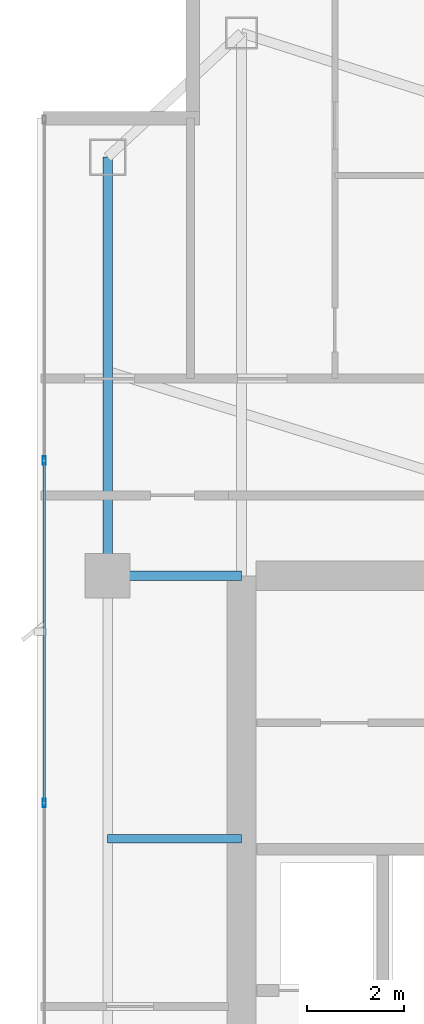
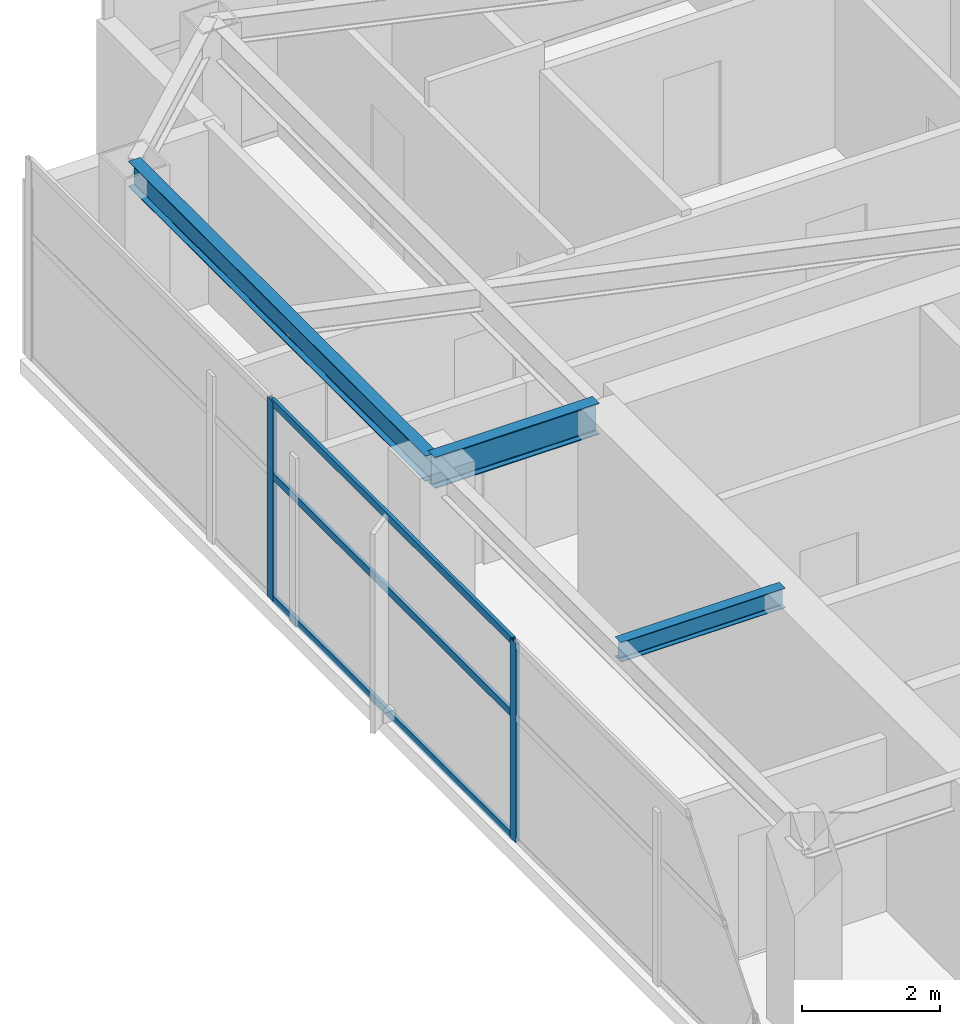
# One storey, part 15 of 27: 5 members, 3 beams, 1 element without a shape of its own.
"""IFC4 building model written with IfcOpenShell, lengths in metres."""

from ifc_helpers import new_model, si_unit, direction, frame, origin, origin_2d, place, context, subcontext, project, spatial, hollow_rectangle, i_section, extrude, material, layer, layer_set, material_profile, profile_set, type_object, element, aggregate, save


model = new_model("IFC4")

# Units and contexts
model_context = context("Model", 3, precision=1e-05, world=origin(), true_north=direction((0.0, 1.0)))
body_context = subcontext(model_context, "Body", "Model", "MODEL_VIEW")
ifc_project = project(units=[si_unit("LENGTHUNIT", "METRE"), si_unit("AREAUNIT", "SQUARE_METRE"), si_unit("VOLUMEUNIT", "CUBIC_METRE"), si_unit("PLANEANGLEUNIT", "RADIAN"), si_unit("MASSUNIT", "GRAM", prefix="KILO")], contexts=[model_context])

# Site, building, storey
site_placement = place(None, origin())
site = spatial("IfcSite", under=ifc_project, at=site_placement, CompositionType="ELEMENT")
building_placement = place(site_placement, origin())
building = spatial("IfcBuilding", under=site, at=building_placement, Name="Calvorn Quay Hotel", CompositionType="ELEMENT")
storey_placement = place(building_placement, frame((0.0, 0.0, 278.699951171875)))
storey = spatial("IfcBuildingStorey", under=building, at=storey_placement, Name="L69", CompositionType="ELEMENT", Elevation=278.699951171875)

# Beams
ifc_material_1 = material(Name="Steel Q355B", Category="steel")
ifc_material_profile_1 = material_profile(ifc_material_1, i_section(OverallWidth=0.199951171875, OverallDepth=0.550048828125, WebThickness=0.010009765625, FlangeThickness=0.01611328125, FilletRadius=0.01806640625, at=origin_2d()), Name="HN550x200x10x16")
ifc_profile_set_1 = profile_set([ifc_material_profile_1], Name="Steel Q355B")
beam_type_1 = type_object("IfcBeamType", Name="BM-GIRD-UPP", PredefinedType="BEAM", material=ifc_profile_set_1)
beam_1_placement = place(storey_placement, frame((1.449951171875, 38.39990234375, 3.2451171875), z_axis=(1.0, 0.0, 0.0), x_axis=(0.0, 1.0, 0.0)))
element("IfcBeam", 1, at=beam_1_placement, inside=storey, type_object=beam_type_1, Name="Beam BG-L69-W3", PredefinedType="BEAM", context=body_context, shape_type="SweptSolid", body=[
    extrude(i_section(OverallWidth=0.199951171875, OverallDepth=0.550048828125, WebThickness=0.010009765625, FlangeThickness=0.01611328125, FilletRadius=0.01806640625, at=origin_2d()), origin(), (0.0, 0.0, 1.0), 2.75),
])
ifc_material_2 = material(Name="Steel Q355B", Category="steel")
ifc_material_profile_2 = material_profile(ifc_material_2, i_section(OverallWidth=0.175048828125, OverallDepth=0.35009765625, WebThickness=0.007080078125, FlangeThickness=0.010986328125, FilletRadius=0.013916015625, at=origin_2d()), Name="HN350x175x7x11")
ifc_profile_set_2 = profile_set([ifc_material_profile_2], Name="Steel Q355B")
beam_type_2 = type_object("IfcBeamType", Name="BM-JOIST-SEC", PredefinedType="JOIST", material=ifc_profile_set_2)
beam_2_placement = place(storey_placement, frame((1.449951171875, 33.0, 3.344970703125), z_axis=(1.0, 0.0, 0.0), x_axis=(0.0, 1.0, 0.0)))
element("IfcBeam", 2, at=beam_2_placement, inside=storey, type_object=beam_type_2, Name="Beam BJ-L69-W4", PredefinedType="JOIST", context=body_context, shape_type="SweptSolid", body=[
    extrude(i_section(OverallWidth=0.175048828125, OverallDepth=0.35009765625, WebThickness=0.007080078125, FlangeThickness=0.010986328125, FilletRadius=0.013916015625, at=origin_2d()), origin(), (0.0, 0.0, 1.0), 2.75),
])
ifc_material_3 = material(Name="Steel Q355B", Category="steel")
ifc_material_profile_3 = material_profile(ifc_material_3, i_section(OverallWidth=0.199951171875, OverallDepth=0.449951171875, WebThickness=0.009033203125, FlangeThickness=0.013916015625, FilletRadius=0.01611328125, at=origin_2d()), Name="HN450x200x9x14")
ifc_profile_set_3 = profile_set([ifc_material_profile_3], Name="Steel Q355B")
beam_type_3 = type_object("IfcBeamType", Name="BM-SPANDREL-Z3", PredefinedType="SPANDREL", material=ifc_profile_set_3)
beam_3_placement = place(storey_placement, frame((1.449951171875, 38.39990234375, 3.295166015625), z_axis=(0.0, 1.0, 0.0), x_axis=(-1.0, 0.0, 0.0)))
element("IfcBeam", 3, at=beam_3_placement, inside=storey, type_object=beam_type_3, Name="Beam BSP-L69-W4", PredefinedType="SPANDREL", context=body_context, shape_type="SweptSolid", body=[
    extrude(i_section(OverallWidth=0.199951171875, OverallDepth=0.449951171875, WebThickness=0.009033203125, FlangeThickness=0.013916015625, FilletRadius=0.01611328125, at=origin_2d()), origin(), (0.0, 0.0, 1.0), 8.60009765625),
])

# Curtain wall, members
ifc_material_4 = material(Name="Champagne Bronze Anodised Aluminium and Low-E Glass", Category="aluminium")
ifc_layer = layer(ifc_material_4, 0.219970703125)
ifc_layer_set = layer_set([ifc_layer], Name="CW-SYS-Z4")
curtain_wall_type = type_object("IfcCurtainWallType", Name="CW-SYS-Z4", PredefinedType="NOTDEFINED", material=ifc_layer_set)
curtain_wall_placement = place(storey_placement, origin())
curtain_wall = element("IfcCurtainWall", 4, at=curtain_wall_placement, inside=storey, type_object=curtain_wall_type, Name="Tower West Curtain Wall (L69)", PredefinedType="NOTDEFINED")
ifc_material_5 = material(Name="Champagne Bronze Anodised Aluminium 6063-T6", Category="aluminium")
ifc_material_profile_4 = material_profile(ifc_material_5, hollow_rectangle(XDim=0.06494140625, YDim=0.169921875, WallThickness=0.00341796875, at=origin_2d()), Name="ALU-M170x65x3.5")
ifc_profile_set_4 = profile_set([ifc_material_profile_4], Name="Champagne Bronze Anodised Aluminium 6063-T6")
member_type_1 = type_object("IfcMemberType", Name="CW-SYS-Z4-MUL", PredefinedType="MULLION", material=ifc_profile_set_4)
member_1_placement = place(storey_placement, frame((0.14990234375, 33.7333984375, 0.0), z_axis=(0.0, 0.0, 1.0), x_axis=(-1.0, 0.0, 0.0)))
member_1 = element("IfcMember", 5, at=member_1_placement, type_object=member_type_1, Name="CW-L69-W mullion 5", PredefinedType="MULLION", context=body_context, shape_type="SweptSolid", body=[
    extrude(hollow_rectangle(XDim=0.06494140625, YDim=0.169921875, WallThickness=0.00341796875, at=origin_2d()), origin(), (0.0, 0.0, 1.0), 3.52001953125),
])
member_2_placement = place(storey_placement, frame((0.14990234375, 40.7666015625, 0.0), z_axis=(0.0, 0.0, 1.0), x_axis=(-1.0, 0.0, 0.0)))
member_2 = element("IfcMember", 6, at=member_2_placement, type_object=member_type_1, Name="CW-L69-W mullion 6", PredefinedType="MULLION", context=body_context, shape_type="SweptSolid", body=[
    extrude(hollow_rectangle(XDim=0.06494140625, YDim=0.169921875, WallThickness=0.00341796875, at=origin_2d()), origin(), (0.0, 0.0, 1.0), 3.52001953125),
])
ifc_material_6 = material(Name="Champagne Bronze Anodised Aluminium 6063-T6", Category="aluminium")
ifc_material_profile_5 = material_profile(ifc_material_6, hollow_rectangle(XDim=0.054931640625, YDim=0.1298828125, WallThickness=0.003173828125, at=origin_2d()), Name="ALU-T130x55x3.2")
ifc_profile_set_5 = profile_set([ifc_material_profile_5], Name="Champagne Bronze Anodised Aluminium 6063-T6")
member_type_2 = type_object("IfcMemberType", Name="CW-SYS-Z4-TRN", PredefinedType="USERDEFINED", material=ifc_profile_set_5)
member_3_placement = place(storey_placement, frame((0.14990234375, 33.763427734375, 0.030029296875), z_axis=(0.0, 1.0, 0.0), x_axis=(-1.0, 0.0, 0.0)))
member_3 = element("IfcMember", 7, at=member_3_placement, type_object=member_type_2, Name="CW-L69-W transom 5.1", ObjectType="TRANSOM", PredefinedType="USERDEFINED", context=body_context, shape_type="SweptSolid", body=[
    extrude(hollow_rectangle(XDim=0.054931640625, YDim=0.1298828125, WallThickness=0.003173828125, at=origin_2d()), origin(), (0.0, 0.0, 1.0), 6.97314453125),
])
member_4_placement = place(storey_placement, frame((0.14990234375, 33.763427734375, 2.199951171875), z_axis=(0.0, 1.0, 0.0), x_axis=(-1.0, 0.0, 0.0)))
member_4 = element("IfcMember", 8, at=member_4_placement, type_object=member_type_2, Name="CW-L69-W transom 5.2", ObjectType="TRANSOM", PredefinedType="USERDEFINED", context=body_context, shape_type="SweptSolid", body=[
    extrude(hollow_rectangle(XDim=0.054931640625, YDim=0.1298828125, WallThickness=0.003173828125, at=origin_2d()), origin(), (0.0, 0.0, 1.0), 6.97314453125),
])
member_5_placement = place(storey_placement, frame((0.14990234375, 33.763427734375, 3.489990234375), z_axis=(0.0, 1.0, 0.0), x_axis=(-1.0, 0.0, 0.0)))
member_5 = element("IfcMember", 9, at=member_5_placement, type_object=member_type_2, Name="CW-L69-W transom 5.3", ObjectType="TRANSOM", PredefinedType="USERDEFINED", context=body_context, shape_type="SweptSolid", body=[
    extrude(hollow_rectangle(XDim=0.054931640625, YDim=0.1298828125, WallThickness=0.003173828125, at=origin_2d()), origin(), (0.0, 0.0, 1.0), 6.97314453125),
])
aggregate(curtain_wall, [member_1, member_2, member_3, member_4, member_5])

save(model, "model.ifc")
